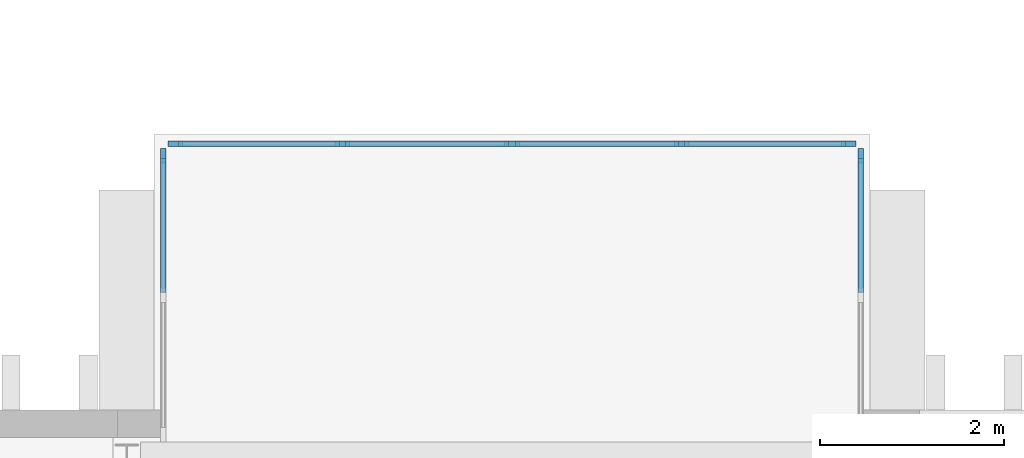
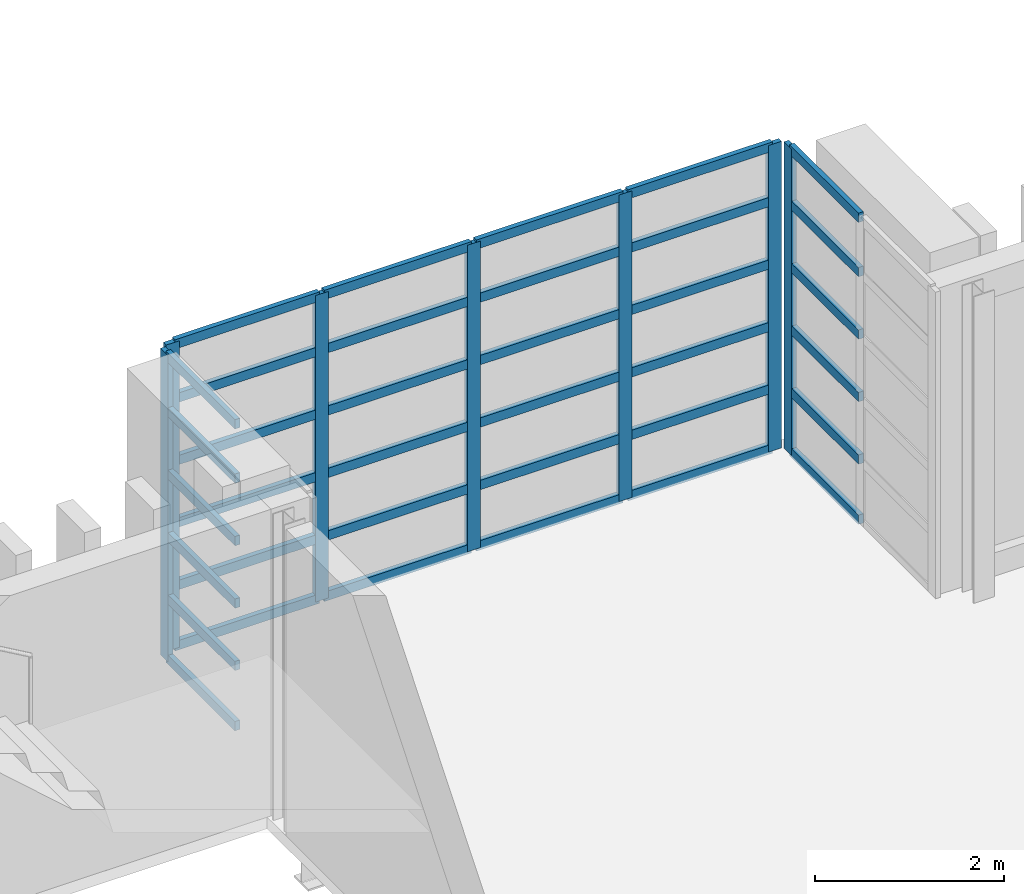
# One storey, part 22 of 88: 43 members, 3 elements without a shape of their own.
"""IFC4 building model written with IfcOpenShell, lengths in metres."""

from ifc_helpers import new_model, si_unit, direction, frame, origin, origin_2d, place, context, subcontext, project, spatial, rectangle, extrude, material, layer, layer_set, material_profile, profile_set, type_object, element, aggregate, save


model = new_model("IFC4")

# Units and contexts
model_context = context("Model", 3, precision=1e-05, world=origin(), true_north=direction((0.0, 1.0)))
body_context = subcontext(model_context, "Body", "Model", "MODEL_VIEW")
ifc_project = project(units=[si_unit("LENGTHUNIT", "METRE"), si_unit("AREAUNIT", "SQUARE_METRE"), si_unit("VOLUMEUNIT", "CUBIC_METRE"), si_unit("PLANEANGLEUNIT", "RADIAN"), si_unit("MASSUNIT", "GRAM", prefix="KILO")], contexts=[model_context])

# Site, building, storey
site_placement = place(None, origin())
site = spatial("IfcSite", under=ifc_project, at=site_placement, CompositionType="ELEMENT")
building_placement = place(site_placement, origin())
building = spatial("IfcBuilding", under=site, at=building_placement, Name="Cresset Court Congress Hotel", CompositionType="ELEMENT")
storey_placement = place(building_placement, frame((0.0, 0.0, 14.39990234375)))
storey = spatial("IfcBuildingStorey", under=building, at=storey_placement, Name="L03", CompositionType="ELEMENT", Elevation=14.39990234375)

# Curtain wall, members
ifc_material_1 = material(Name="Aluminium frame with double glazing", Category="aluminium")
ifc_layer = layer(ifc_material_1, 0.199951171875)
ifc_layer_set = layer_set([ifc_layer], Name="Glazed box curtain wall 1680 module")
curtain_wall_type = type_object("IfcCurtainWallType", Name="Glazed box curtain wall 1680 module", PredefinedType="NOTDEFINED", material=ifc_layer_set)
curtain_wall_1_placement = place(storey_placement, origin())
curtain_wall_1 = element("IfcCurtainWall", 1, at=curtain_wall_1_placement, inside=storey, type_object=curtain_wall_type, Name="Glazed box N0325 front", PredefinedType="NOTDEFINED")
ifc_material_2 = material(Name="Aluminium", Category="aluminium")
ifc_material_profile_1 = material_profile(ifc_material_2, rectangle(XDim=0.06005859375, YDim=0.159912109375, at=origin_2d()), Name="Box mullion 60x160")
ifc_profile_set_1 = profile_set([ifc_material_profile_1], Name="Aluminium")
member_type_1 = type_object("IfcMemberType", Name="Box mullion 60x160", PredefinedType="MULLION", material=ifc_profile_set_1)
member_1_placement = place(storey_placement, frame((17.330078125, 28.60009765625, 0.0), z_axis=(0.0, 0.0, 1.0), x_axis=(0.0, 1.0, 0.0)))
member_1 = element("IfcMember", 2, at=member_1_placement, type_object=member_type_1, Name="B-X1 mullion 1", PredefinedType="MULLION", context=body_context, shape_type="SweptSolid", body=[
    extrude(rectangle(XDim=0.06005859375, YDim=0.159912109375, at=origin_2d()), origin(), (0.0, 0.0, 1.0), 3.9501953125),
])
member_2_placement = place(storey_placement, frame((19.14990234375, 28.60009765625, 0.0), z_axis=(0.0, 0.0, 1.0), x_axis=(0.0, 1.0, 0.0)))
member_2 = element("IfcMember", 3, at=member_2_placement, type_object=member_type_1, Name="B-X1 mullion 2", PredefinedType="MULLION", context=body_context, shape_type="SweptSolid", body=[
    extrude(rectangle(XDim=0.06005859375, YDim=0.159912109375, at=origin_2d()), origin(), (0.0, 0.0, 1.0), 3.9501953125),
])
member_3_placement = place(storey_placement, frame((21.0, 28.60009765625, 0.0), z_axis=(0.0, 0.0, 1.0), x_axis=(0.0, 1.0, 0.0)))
member_3 = element("IfcMember", 4, at=member_3_placement, type_object=member_type_1, Name="B-X1 mullion 3", PredefinedType="MULLION", context=body_context, shape_type="SweptSolid", body=[
    extrude(rectangle(XDim=0.06005859375, YDim=0.159912109375, at=origin_2d()), origin(), (0.0, 0.0, 1.0), 3.9501953125),
])
member_4_placement = place(storey_placement, frame((22.85009765625, 28.60009765625, 0.0), z_axis=(0.0, 0.0, 1.0), x_axis=(0.0, 1.0, 0.0)))
member_4 = element("IfcMember", 5, at=member_4_placement, type_object=member_type_1, Name="B-X1 mullion 4", PredefinedType="MULLION", context=body_context, shape_type="SweptSolid", body=[
    extrude(rectangle(XDim=0.06005859375, YDim=0.159912109375, at=origin_2d()), origin(), (0.0, 0.0, 1.0), 3.9501953125),
])
member_5_placement = place(storey_placement, frame((24.669921875, 28.60009765625, 0.0), z_axis=(0.0, 0.0, 1.0), x_axis=(0.0, 1.0, 0.0)))
member_5 = element("IfcMember", 6, at=member_5_placement, type_object=member_type_1, Name="B-X1 mullion 5", PredefinedType="MULLION", context=body_context, shape_type="SweptSolid", body=[
    extrude(rectangle(XDim=0.06005859375, YDim=0.159912109375, at=origin_2d()), origin(), (0.0, 0.0, 1.0), 3.9501953125),
])

# Curtain wall, member
curtain_wall_2_placement = place(storey_placement, origin())
curtain_wall_2 = element("IfcCurtainWall", 7, at=curtain_wall_2_placement, inside=storey, type_object=curtain_wall_type, Name="Glazed box N0325 side", PredefinedType="NOTDEFINED")
member_6_placement = place(storey_placement, frame((17.199951171875, 28.469970703125, 0.0), z_axis=(0.0, 0.0, 1.0), x_axis=(-1.0, 0.0, 0.0)))
member_6 = element("IfcMember", 8, at=member_6_placement, type_object=member_type_1, Name="B-X1 mullion 3", PredefinedType="MULLION", context=body_context, shape_type="SweptSolid", body=[
    extrude(rectangle(XDim=0.06005859375, YDim=0.159912109375, at=origin_2d()), origin(), (0.0, 0.0, 1.0), 3.9501953125),
])

curtain_wall_3_placement = place(storey_placement, origin())
curtain_wall_3 = element("IfcCurtainWall", 9, at=curtain_wall_3_placement, inside=storey, type_object=curtain_wall_type, Name="Glazed box N0325 side", PredefinedType="NOTDEFINED")
member_7_placement = place(storey_placement, frame((24.800048828125, 28.469970703125, 0.0), z_axis=(0.0, 0.0, 1.0), x_axis=(-1.0, 0.0, 0.0)))
member_7 = element("IfcMember", 10, at=member_7_placement, type_object=member_type_1, Name="B-X1 mullion 3", PredefinedType="MULLION", context=body_context, shape_type="SweptSolid", body=[
    extrude(rectangle(XDim=0.06005859375, YDim=0.159912109375, at=origin_2d()), origin(), (0.0, 0.0, 1.0), 3.9501953125),
])

# Member
ifc_material_3 = material(Name="Aluminium", Category="aluminium")
ifc_material_profile_2 = material_profile(ifc_material_3, rectangle(XDim=0.06005859375, YDim=0.1201171875, at=origin_2d()), Name="Box transom 60x120")
ifc_profile_set_2 = profile_set([ifc_material_profile_2], Name="Aluminium")
member_type_2 = type_object("IfcMemberType", Name="Box transom 60x120", PredefinedType="USERDEFINED", material=ifc_profile_set_2)
member_8_placement = place(storey_placement, frame((17.360107421875, 28.60009765625, 0.030029296875), z_axis=(1.0, 0.0, 0.0), x_axis=(0.0, 1.0, 0.0)))
member_8 = element("IfcMember", 11, at=member_8_placement, type_object=member_type_2, Name="B-X1 transom 1.1", ObjectType="TRANSOM", PredefinedType="USERDEFINED", context=body_context, shape_type="SweptSolid", body=[
    extrude(rectangle(XDim=0.06005859375, YDim=0.1201171875, at=origin_2d()), origin(), (0.0, 0.0, 1.0), 1.760009765625),
])

member_9_placement = place(storey_placement, frame((17.360107421875, 28.60009765625, 0.80517578125), z_axis=(1.0, 0.0, 0.0), x_axis=(0.0, 1.0, 0.0)))
member_9 = element("IfcMember", 12, at=member_9_placement, type_object=member_type_2, Name="B-X1 transom 1.2", ObjectType="TRANSOM", PredefinedType="USERDEFINED", context=body_context, shape_type="SweptSolid", body=[
    extrude(rectangle(XDim=0.06005859375, YDim=0.1201171875, at=origin_2d()), origin(), (0.0, 0.0, 1.0), 1.760009765625),
])

member_10_placement = place(storey_placement, frame((17.360107421875, 28.60009765625, 1.610107421875), z_axis=(1.0, 0.0, 0.0), x_axis=(0.0, 1.0, 0.0)))
member_10 = element("IfcMember", 13, at=member_10_placement, type_object=member_type_2, Name="B-X1 transom 1.3", ObjectType="TRANSOM", PredefinedType="USERDEFINED", context=body_context, shape_type="SweptSolid", body=[
    extrude(rectangle(XDim=0.06005859375, YDim=0.1201171875, at=origin_2d()), origin(), (0.0, 0.0, 1.0), 1.760009765625),
])

member_11_placement = place(storey_placement, frame((17.360107421875, 28.60009765625, 2.4150390625), z_axis=(1.0, 0.0, 0.0), x_axis=(0.0, 1.0, 0.0)))
member_11 = element("IfcMember", 14, at=member_11_placement, type_object=member_type_2, Name="B-X1 transom 1.4", ObjectType="TRANSOM", PredefinedType="USERDEFINED", context=body_context, shape_type="SweptSolid", body=[
    extrude(rectangle(XDim=0.06005859375, YDim=0.1201171875, at=origin_2d()), origin(), (0.0, 0.0, 1.0), 1.760009765625),
])

member_12_placement = place(storey_placement, frame((17.360107421875, 28.60009765625, 3.22021484375), z_axis=(1.0, 0.0, 0.0), x_axis=(0.0, 1.0, 0.0)))
member_12 = element("IfcMember", 15, at=member_12_placement, type_object=member_type_2, Name="B-X1 transom 1.5", ObjectType="TRANSOM", PredefinedType="USERDEFINED", context=body_context, shape_type="SweptSolid", body=[
    extrude(rectangle(XDim=0.06005859375, YDim=0.1201171875, at=origin_2d()), origin(), (0.0, 0.0, 1.0), 1.760009765625),
])

member_13_placement = place(storey_placement, frame((17.360107421875, 28.60009765625, 3.920166015625), z_axis=(1.0, 0.0, 0.0), x_axis=(0.0, 1.0, 0.0)))
member_13 = element("IfcMember", 16, at=member_13_placement, type_object=member_type_2, Name="B-X1 transom 1.6", ObjectType="TRANSOM", PredefinedType="USERDEFINED", context=body_context, shape_type="SweptSolid", body=[
    extrude(rectangle(XDim=0.06005859375, YDim=0.1201171875, at=origin_2d()), origin(), (0.0, 0.0, 1.0), 1.760009765625),
])

member_14_placement = place(storey_placement, frame((19.179931640625, 28.60009765625, 0.030029296875), z_axis=(1.0, 0.0, 0.0), x_axis=(0.0, 1.0, 0.0)))
member_14 = element("IfcMember", 17, at=member_14_placement, type_object=member_type_2, Name="B-X1 transom 2.1", ObjectType="TRANSOM", PredefinedType="USERDEFINED", context=body_context, shape_type="SweptSolid", body=[
    extrude(rectangle(XDim=0.06005859375, YDim=0.1201171875, at=origin_2d()), origin(), (0.0, 0.0, 1.0), 1.7900390625),
])

member_15_placement = place(storey_placement, frame((19.179931640625, 28.60009765625, 0.80517578125), z_axis=(1.0, 0.0, 0.0), x_axis=(0.0, 1.0, 0.0)))
member_15 = element("IfcMember", 18, at=member_15_placement, type_object=member_type_2, Name="B-X1 transom 2.2", ObjectType="TRANSOM", PredefinedType="USERDEFINED", context=body_context, shape_type="SweptSolid", body=[
    extrude(rectangle(XDim=0.06005859375, YDim=0.1201171875, at=origin_2d()), origin(), (0.0, 0.0, 1.0), 1.7900390625),
])

member_16_placement = place(storey_placement, frame((19.179931640625, 28.60009765625, 1.610107421875), z_axis=(1.0, 0.0, 0.0), x_axis=(0.0, 1.0, 0.0)))
member_16 = element("IfcMember", 19, at=member_16_placement, type_object=member_type_2, Name="B-X1 transom 2.3", ObjectType="TRANSOM", PredefinedType="USERDEFINED", context=body_context, shape_type="SweptSolid", body=[
    extrude(rectangle(XDim=0.06005859375, YDim=0.1201171875, at=origin_2d()), origin(), (0.0, 0.0, 1.0), 1.7900390625),
])

member_17_placement = place(storey_placement, frame((19.179931640625, 28.60009765625, 2.4150390625), z_axis=(1.0, 0.0, 0.0), x_axis=(0.0, 1.0, 0.0)))
member_17 = element("IfcMember", 20, at=member_17_placement, type_object=member_type_2, Name="B-X1 transom 2.4", ObjectType="TRANSOM", PredefinedType="USERDEFINED", context=body_context, shape_type="SweptSolid", body=[
    extrude(rectangle(XDim=0.06005859375, YDim=0.1201171875, at=origin_2d()), origin(), (0.0, 0.0, 1.0), 1.7900390625),
])

member_18_placement = place(storey_placement, frame((19.179931640625, 28.60009765625, 3.22021484375), z_axis=(1.0, 0.0, 0.0), x_axis=(0.0, 1.0, 0.0)))
member_18 = element("IfcMember", 21, at=member_18_placement, type_object=member_type_2, Name="B-X1 transom 2.5", ObjectType="TRANSOM", PredefinedType="USERDEFINED", context=body_context, shape_type="SweptSolid", body=[
    extrude(rectangle(XDim=0.06005859375, YDim=0.1201171875, at=origin_2d()), origin(), (0.0, 0.0, 1.0), 1.7900390625),
])

member_19_placement = place(storey_placement, frame((19.179931640625, 28.60009765625, 3.920166015625), z_axis=(1.0, 0.0, 0.0), x_axis=(0.0, 1.0, 0.0)))
member_19 = element("IfcMember", 22, at=member_19_placement, type_object=member_type_2, Name="B-X1 transom 2.6", ObjectType="TRANSOM", PredefinedType="USERDEFINED", context=body_context, shape_type="SweptSolid", body=[
    extrude(rectangle(XDim=0.06005859375, YDim=0.1201171875, at=origin_2d()), origin(), (0.0, 0.0, 1.0), 1.7900390625),
])

member_20_placement = place(storey_placement, frame((21.030029296875, 28.60009765625, 0.030029296875), z_axis=(1.0, 0.0, 0.0), x_axis=(0.0, 1.0, 0.0)))
member_20 = element("IfcMember", 23, at=member_20_placement, type_object=member_type_2, Name="B-X1 transom 3.1", ObjectType="TRANSOM", PredefinedType="USERDEFINED", context=body_context, shape_type="SweptSolid", body=[
    extrude(rectangle(XDim=0.06005859375, YDim=0.1201171875, at=origin_2d()), origin(), (0.0, 0.0, 1.0), 1.7900390625),
])

member_21_placement = place(storey_placement, frame((21.030029296875, 28.60009765625, 0.80517578125), z_axis=(1.0, 0.0, 0.0), x_axis=(0.0, 1.0, 0.0)))
member_21 = element("IfcMember", 24, at=member_21_placement, type_object=member_type_2, Name="B-X1 transom 3.2", ObjectType="TRANSOM", PredefinedType="USERDEFINED", context=body_context, shape_type="SweptSolid", body=[
    extrude(rectangle(XDim=0.06005859375, YDim=0.1201171875, at=origin_2d()), origin(), (0.0, 0.0, 1.0), 1.7900390625),
])

member_22_placement = place(storey_placement, frame((21.030029296875, 28.60009765625, 1.610107421875), z_axis=(1.0, 0.0, 0.0), x_axis=(0.0, 1.0, 0.0)))
member_22 = element("IfcMember", 25, at=member_22_placement, type_object=member_type_2, Name="B-X1 transom 3.3", ObjectType="TRANSOM", PredefinedType="USERDEFINED", context=body_context, shape_type="SweptSolid", body=[
    extrude(rectangle(XDim=0.06005859375, YDim=0.1201171875, at=origin_2d()), origin(), (0.0, 0.0, 1.0), 1.7900390625),
])

member_23_placement = place(storey_placement, frame((21.030029296875, 28.60009765625, 2.4150390625), z_axis=(1.0, 0.0, 0.0), x_axis=(0.0, 1.0, 0.0)))
member_23 = element("IfcMember", 26, at=member_23_placement, type_object=member_type_2, Name="B-X1 transom 3.4", ObjectType="TRANSOM", PredefinedType="USERDEFINED", context=body_context, shape_type="SweptSolid", body=[
    extrude(rectangle(XDim=0.06005859375, YDim=0.1201171875, at=origin_2d()), origin(), (0.0, 0.0, 1.0), 1.7900390625),
])

member_24_placement = place(storey_placement, frame((21.030029296875, 28.60009765625, 3.22021484375), z_axis=(1.0, 0.0, 0.0), x_axis=(0.0, 1.0, 0.0)))
member_24 = element("IfcMember", 27, at=member_24_placement, type_object=member_type_2, Name="B-X1 transom 3.5", ObjectType="TRANSOM", PredefinedType="USERDEFINED", context=body_context, shape_type="SweptSolid", body=[
    extrude(rectangle(XDim=0.06005859375, YDim=0.1201171875, at=origin_2d()), origin(), (0.0, 0.0, 1.0), 1.7900390625),
])

member_25_placement = place(storey_placement, frame((21.030029296875, 28.60009765625, 3.920166015625), z_axis=(1.0, 0.0, 0.0), x_axis=(0.0, 1.0, 0.0)))
member_25 = element("IfcMember", 28, at=member_25_placement, type_object=member_type_2, Name="B-X1 transom 3.6", ObjectType="TRANSOM", PredefinedType="USERDEFINED", context=body_context, shape_type="SweptSolid", body=[
    extrude(rectangle(XDim=0.06005859375, YDim=0.1201171875, at=origin_2d()), origin(), (0.0, 0.0, 1.0), 1.7900390625),
])

member_26_placement = place(storey_placement, frame((22.8798828125, 28.60009765625, 0.030029296875), z_axis=(1.0, 0.0, 0.0), x_axis=(0.0, 1.0, 0.0)))
member_26 = element("IfcMember", 29, at=member_26_placement, type_object=member_type_2, Name="B-X1 transom 4.1", ObjectType="TRANSOM", PredefinedType="USERDEFINED", context=body_context, shape_type="SweptSolid", body=[
    extrude(rectangle(XDim=0.06005859375, YDim=0.1201171875, at=origin_2d()), origin(), (0.0, 0.0, 1.0), 1.760009765625),
])

member_27_placement = place(storey_placement, frame((22.8798828125, 28.60009765625, 0.80517578125), z_axis=(1.0, 0.0, 0.0), x_axis=(0.0, 1.0, 0.0)))
member_27 = element("IfcMember", 30, at=member_27_placement, type_object=member_type_2, Name="B-X1 transom 4.2", ObjectType="TRANSOM", PredefinedType="USERDEFINED", context=body_context, shape_type="SweptSolid", body=[
    extrude(rectangle(XDim=0.06005859375, YDim=0.1201171875, at=origin_2d()), origin(), (0.0, 0.0, 1.0), 1.760009765625),
])

member_28_placement = place(storey_placement, frame((22.8798828125, 28.60009765625, 1.610107421875), z_axis=(1.0, 0.0, 0.0), x_axis=(0.0, 1.0, 0.0)))
member_28 = element("IfcMember", 31, at=member_28_placement, type_object=member_type_2, Name="B-X1 transom 4.3", ObjectType="TRANSOM", PredefinedType="USERDEFINED", context=body_context, shape_type="SweptSolid", body=[
    extrude(rectangle(XDim=0.06005859375, YDim=0.1201171875, at=origin_2d()), origin(), (0.0, 0.0, 1.0), 1.760009765625),
])

member_29_placement = place(storey_placement, frame((22.8798828125, 28.60009765625, 2.4150390625), z_axis=(1.0, 0.0, 0.0), x_axis=(0.0, 1.0, 0.0)))
member_29 = element("IfcMember", 32, at=member_29_placement, type_object=member_type_2, Name="B-X1 transom 4.4", ObjectType="TRANSOM", PredefinedType="USERDEFINED", context=body_context, shape_type="SweptSolid", body=[
    extrude(rectangle(XDim=0.06005859375, YDim=0.1201171875, at=origin_2d()), origin(), (0.0, 0.0, 1.0), 1.760009765625),
])

member_30_placement = place(storey_placement, frame((22.8798828125, 28.60009765625, 3.22021484375), z_axis=(1.0, 0.0, 0.0), x_axis=(0.0, 1.0, 0.0)))
member_30 = element("IfcMember", 33, at=member_30_placement, type_object=member_type_2, Name="B-X1 transom 4.5", ObjectType="TRANSOM", PredefinedType="USERDEFINED", context=body_context, shape_type="SweptSolid", body=[
    extrude(rectangle(XDim=0.06005859375, YDim=0.1201171875, at=origin_2d()), origin(), (0.0, 0.0, 1.0), 1.760009765625),
])

member_31_placement = place(storey_placement, frame((22.8798828125, 28.60009765625, 3.920166015625), z_axis=(1.0, 0.0, 0.0), x_axis=(0.0, 1.0, 0.0)))
member_31 = element("IfcMember", 34, at=member_31_placement, type_object=member_type_2, Name="B-X1 transom 4.6", ObjectType="TRANSOM", PredefinedType="USERDEFINED", context=body_context, shape_type="SweptSolid", body=[
    extrude(rectangle(XDim=0.06005859375, YDim=0.1201171875, at=origin_2d()), origin(), (0.0, 0.0, 1.0), 1.760009765625),
])

aggregate(curtain_wall_1, [member_1, member_2, member_3, member_4, member_5, member_8, member_9, member_10, member_11, member_12, member_13, member_14, member_15, member_16, member_17, member_18, member_19, member_20, member_21, member_22, member_23, member_24, member_25, member_26, member_27, member_28, member_29, member_30, member_31])

member_32_placement = place(storey_placement, frame((17.199951171875, 26.97998046875, 0.030029296875), z_axis=(0.0, 1.0, 0.0), x_axis=(-1.0, 0.0, 0.0)))
member_32 = element("IfcMember", 35, at=member_32_placement, type_object=member_type_2, Name="B-X1 transom 2.1", ObjectType="TRANSOM", PredefinedType="USERDEFINED", context=body_context, shape_type="SweptSolid", body=[
    extrude(rectangle(XDim=0.06005859375, YDim=0.1201171875, at=origin_2d()), origin(), (0.0, 0.0, 1.0), 1.4599609375),
])

member_33_placement = place(storey_placement, frame((17.199951171875, 26.97998046875, 0.80517578125), z_axis=(0.0, 1.0, 0.0), x_axis=(-1.0, 0.0, 0.0)))
member_33 = element("IfcMember", 36, at=member_33_placement, type_object=member_type_2, Name="B-X1 transom 2.2", ObjectType="TRANSOM", PredefinedType="USERDEFINED", context=body_context, shape_type="SweptSolid", body=[
    extrude(rectangle(XDim=0.06005859375, YDim=0.1201171875, at=origin_2d()), origin(), (0.0, 0.0, 1.0), 1.4599609375),
])

member_34_placement = place(storey_placement, frame((17.199951171875, 26.97998046875, 1.610107421875), z_axis=(0.0, 1.0, 0.0), x_axis=(-1.0, 0.0, 0.0)))
member_34 = element("IfcMember", 37, at=member_34_placement, type_object=member_type_2, Name="B-X1 transom 2.3", ObjectType="TRANSOM", PredefinedType="USERDEFINED", context=body_context, shape_type="SweptSolid", body=[
    extrude(rectangle(XDim=0.06005859375, YDim=0.1201171875, at=origin_2d()), origin(), (0.0, 0.0, 1.0), 1.4599609375),
])

member_35_placement = place(storey_placement, frame((17.199951171875, 26.97998046875, 2.4150390625), z_axis=(0.0, 1.0, 0.0), x_axis=(-1.0, 0.0, 0.0)))
member_35 = element("IfcMember", 38, at=member_35_placement, type_object=member_type_2, Name="B-X1 transom 2.4", ObjectType="TRANSOM", PredefinedType="USERDEFINED", context=body_context, shape_type="SweptSolid", body=[
    extrude(rectangle(XDim=0.06005859375, YDim=0.1201171875, at=origin_2d()), origin(), (0.0, 0.0, 1.0), 1.4599609375),
])

member_36_placement = place(storey_placement, frame((17.199951171875, 26.97998046875, 3.22021484375), z_axis=(0.0, 1.0, 0.0), x_axis=(-1.0, 0.0, 0.0)))
member_36 = element("IfcMember", 39, at=member_36_placement, type_object=member_type_2, Name="B-X1 transom 2.5", ObjectType="TRANSOM", PredefinedType="USERDEFINED", context=body_context, shape_type="SweptSolid", body=[
    extrude(rectangle(XDim=0.06005859375, YDim=0.1201171875, at=origin_2d()), origin(), (0.0, 0.0, 1.0), 1.4599609375),
])

member_37_placement = place(storey_placement, frame((17.199951171875, 26.97998046875, 3.920166015625), z_axis=(0.0, 1.0, 0.0), x_axis=(-1.0, 0.0, 0.0)))
member_37 = element("IfcMember", 40, at=member_37_placement, type_object=member_type_2, Name="B-X1 transom 2.6", ObjectType="TRANSOM", PredefinedType="USERDEFINED", context=body_context, shape_type="SweptSolid", body=[
    extrude(rectangle(XDim=0.06005859375, YDim=0.1201171875, at=origin_2d()), origin(), (0.0, 0.0, 1.0), 1.4599609375),
])

aggregate(curtain_wall_2, [member_6, member_32, member_33, member_34, member_35, member_36, member_37])

member_38_placement = place(storey_placement, frame((24.800048828125, 26.97998046875, 0.030029296875), z_axis=(0.0, 1.0, 0.0), x_axis=(-1.0, 0.0, 0.0)))
member_38 = element("IfcMember", 41, at=member_38_placement, type_object=member_type_2, Name="B-X1 transom 2.1", ObjectType="TRANSOM", PredefinedType="USERDEFINED", context=body_context, shape_type="SweptSolid", body=[
    extrude(rectangle(XDim=0.06005859375, YDim=0.1201171875, at=origin_2d()), origin(), (0.0, 0.0, 1.0), 1.4599609375),
])

member_39_placement = place(storey_placement, frame((24.800048828125, 26.97998046875, 0.80517578125), z_axis=(0.0, 1.0, 0.0), x_axis=(-1.0, 0.0, 0.0)))
member_39 = element("IfcMember", 42, at=member_39_placement, type_object=member_type_2, Name="B-X1 transom 2.2", ObjectType="TRANSOM", PredefinedType="USERDEFINED", context=body_context, shape_type="SweptSolid", body=[
    extrude(rectangle(XDim=0.06005859375, YDim=0.1201171875, at=origin_2d()), origin(), (0.0, 0.0, 1.0), 1.4599609375),
])

member_40_placement = place(storey_placement, frame((24.800048828125, 26.97998046875, 1.610107421875), z_axis=(0.0, 1.0, 0.0), x_axis=(-1.0, 0.0, 0.0)))
member_40 = element("IfcMember", 43, at=member_40_placement, type_object=member_type_2, Name="B-X1 transom 2.3", ObjectType="TRANSOM", PredefinedType="USERDEFINED", context=body_context, shape_type="SweptSolid", body=[
    extrude(rectangle(XDim=0.06005859375, YDim=0.1201171875, at=origin_2d()), origin(), (0.0, 0.0, 1.0), 1.4599609375),
])

member_41_placement = place(storey_placement, frame((24.800048828125, 26.97998046875, 2.4150390625), z_axis=(0.0, 1.0, 0.0), x_axis=(-1.0, 0.0, 0.0)))
member_41 = element("IfcMember", 44, at=member_41_placement, type_object=member_type_2, Name="B-X1 transom 2.4", ObjectType="TRANSOM", PredefinedType="USERDEFINED", context=body_context, shape_type="SweptSolid", body=[
    extrude(rectangle(XDim=0.06005859375, YDim=0.1201171875, at=origin_2d()), origin(), (0.0, 0.0, 1.0), 1.4599609375),
])

member_42_placement = place(storey_placement, frame((24.800048828125, 26.97998046875, 3.22021484375), z_axis=(0.0, 1.0, 0.0), x_axis=(-1.0, 0.0, 0.0)))
member_42 = element("IfcMember", 45, at=member_42_placement, type_object=member_type_2, Name="B-X1 transom 2.5", ObjectType="TRANSOM", PredefinedType="USERDEFINED", context=body_context, shape_type="SweptSolid", body=[
    extrude(rectangle(XDim=0.06005859375, YDim=0.1201171875, at=origin_2d()), origin(), (0.0, 0.0, 1.0), 1.4599609375),
])

member_43_placement = place(storey_placement, frame((24.800048828125, 26.97998046875, 3.920166015625), z_axis=(0.0, 1.0, 0.0), x_axis=(-1.0, 0.0, 0.0)))
member_43 = element("IfcMember", 46, at=member_43_placement, type_object=member_type_2, Name="B-X1 transom 2.6", ObjectType="TRANSOM", PredefinedType="USERDEFINED", context=body_context, shape_type="SweptSolid", body=[
    extrude(rectangle(XDim=0.06005859375, YDim=0.1201171875, at=origin_2d()), origin(), (0.0, 0.0, 1.0), 1.4599609375),
])

aggregate(curtain_wall_3, [member_7, member_38, member_39, member_40, member_41, member_42, member_43])

save(model, "model.ifc")
